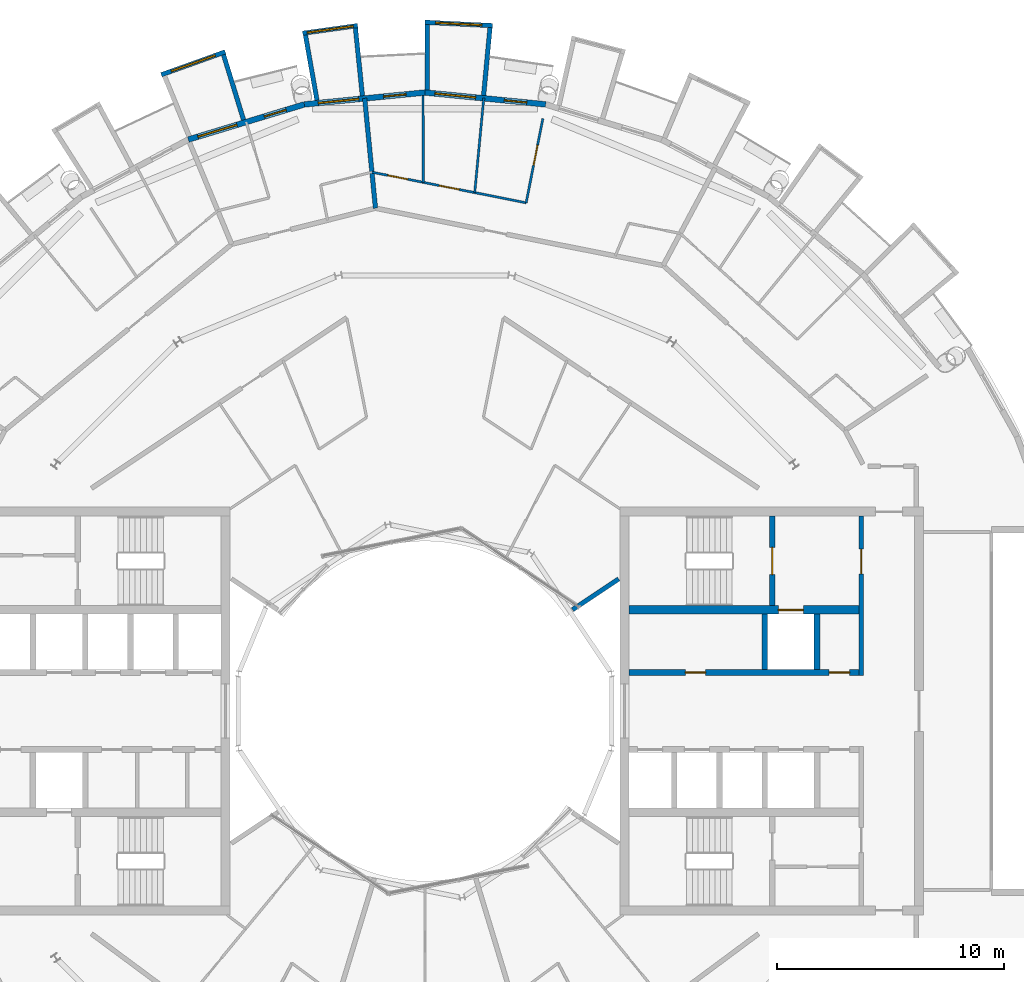
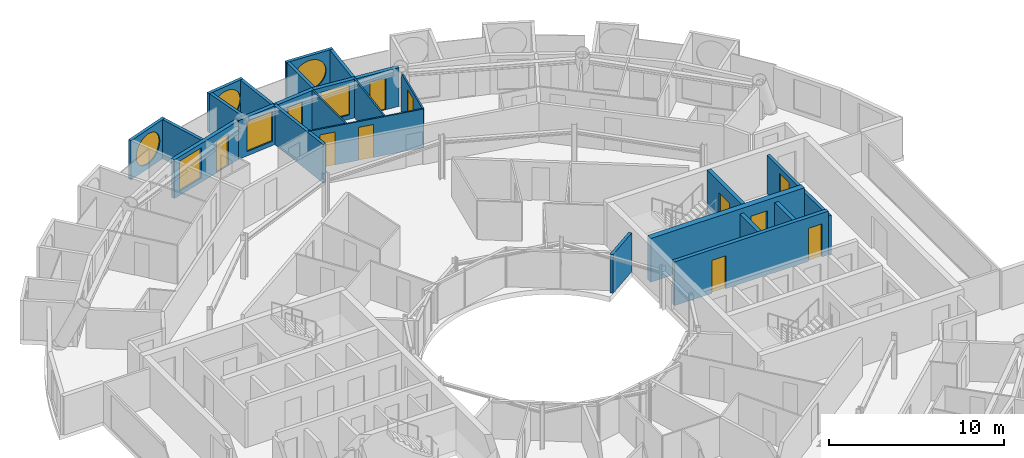
# One storey, part 22 of 28: 23 walls, 11 doors, 6 windows, 17 openings.
"""IFC4 building model written with IfcOpenShell, lengths in metres."""

from ifc_helpers import new_model, si_unit, direction, frame, frame_2d, origin, place, context, subcontext, project, spatial, rectangle, circle, extrude, material, layer, layer_set, type_object, element, fill, save


model = new_model("IFC4")

# Units and contexts
model_context = context("Model", 3, precision=1e-05, world=origin(), true_north=direction((0.0, 1.0)))
body_context = subcontext(model_context, "Body", "Model", "MODEL_VIEW")
ifc_project = project(units=[si_unit("LENGTHUNIT", "METRE"), si_unit("AREAUNIT", "SQUARE_METRE"), si_unit("VOLUMEUNIT", "CUBIC_METRE"), si_unit("PLANEANGLEUNIT", "RADIAN"), si_unit("MASSUNIT", "GRAM", prefix="KILO")], contexts=[model_context])

# Site, building, storey
site_placement = place(None, origin())
site = spatial("IfcSite", under=ifc_project, at=site_placement, CompositionType="ELEMENT")
building_placement = place(site_placement, origin())
building = spatial("IfcBuilding", under=site, at=building_placement, Name="Maasbend Ring Residences", CompositionType="ELEMENT")
storey_placement = place(building_placement, frame((0.0, 0.0, 231.0)))
storey = spatial("IfcBuildingStorey", under=building, at=storey_placement, Name="L66", CompositionType="ELEMENT", Elevation=231.0)

# Wall, openings, doors
ifc_material_1 = material(Name="Concrete C50/60", Category="concrete")
ifc_layer_1 = layer(ifc_material_1, 0.25)
ifc_layer_set_1 = layer_set([ifc_layer_1], Name="Concrete C50/60")
wall_type_1 = type_object("IfcWallType", Name="CORE WALL 250 C50/60", PredefinedType="SHEAR", material=ifc_layer_set_1)
wall_1_placement = place(storey_placement, frame((9.0, 1.699951171875, 0.0), z_axis=(0.0, 0.0, 1.0), x_axis=(1.0, 0.0, 0.0)))
wall_1 = element("IfcWall", 1, at=wall_1_placement, inside=storey, type_object=wall_type_1, Name="L66 core E wall SPN", PredefinedType="SHEAR", context=body_context, shape_type="SweptSolid", body=[
    extrude(rectangle(XDim=10.14990234375, YDim=0.25, at=frame_2d((5.074951171875, 0.0))), origin(), (0.0, 0.0, 1.0), 3.050048828125),
])
opening_1_placement = place(wall_1_placement, frame((2.487548828125, 0.0, 0.0)))
opening_1 = element("IfcOpeningElement", 2, at=opening_1_placement, cuts=wall_1, Name="Opening D-E6606", PredefinedType="OPENING", context=body_context, shape_type="SweptSolid", body=[
    extrude(rectangle(XDim=0.89990234375, YDim=2.300048828125, at=frame_2d((0.449951171875, 1.14990234375))), frame((0.0, 0.135009765625, 0.0), z_axis=(0.0, -1.0, 0.0), x_axis=(1.0, 0.0, 0.0)), (0.0, 0.0, 1.0), 0.27001953125),
])
opening_2_placement = place(wall_1_placement, frame((8.83740234375, 0.0, 0.0)))
opening_2 = element("IfcOpeningElement", 3, at=opening_2_placement, cuts=wall_1, Name="Opening D-E6607", PredefinedType="OPENING", context=body_context, shape_type="SweptSolid", body=[
    extrude(rectangle(XDim=0.89990234375, YDim=2.300048828125, at=frame_2d((0.449951171875, 1.14990234375))), frame((0.0, 0.135009765625, 0.0), z_axis=(0.0, -1.0, 0.0), x_axis=(1.0, 0.0, 0.0)), (0.0, 0.0, 1.0), 0.27001953125),
])
ifc_material_2 = material(Name="Steel, powder coated", Category="steel")
door_type_1 = type_object("IfcDoorType", Name="ROOM DOOR 900 X 2300 FD30S", OperationType="NOTDEFINED", PredefinedType="DOOR", material=ifc_material_2)
door_1_placement = place(opening_1_placement, origin())
door_1 = element("IfcDoor", 4, at=door_1_placement, inside=storey, type_object=door_type_1, Name="Room door L66", OperationType="SINGLE_SWING_RIGHT", OverallHeight=2.300048828125, OverallWidth=0.89990234375, PredefinedType="DOOR", context=body_context, shape_type="SweptSolid", body=[
    extrude(rectangle(XDim=0.89990234375, YDim=2.300048828125, at=frame_2d((0.449951171875, 1.14990234375))), frame((0.0, 0.02490234375, 0.0), z_axis=(0.0, -1.0, 0.0), x_axis=(1.0, 0.0, 0.0)), (0.0, 0.0, 1.0), 0.050048828125),
])
fill(opening_1, door_1)
door_2_placement = place(opening_2_placement, origin())
door_2 = element("IfcDoor", 5, at=door_2_placement, inside=storey, type_object=door_type_1, Name="Room door L66", OperationType="SINGLE_SWING_LEFT", OverallHeight=2.300048828125, OverallWidth=0.89990234375, PredefinedType="DOOR", context=body_context, shape_type="SweptSolid", body=[
    extrude(rectangle(XDim=0.89990234375, YDim=2.300048828125, at=frame_2d((0.449951171875, 1.14990234375))), frame((0.0, 0.02490234375, 0.0), z_axis=(0.0, -1.0, 0.0), x_axis=(1.0, 0.0, 0.0)), (0.0, 0.0, 1.0), 0.050048828125),
])
fill(opening_2, door_2)

# Wall, opening, door
wall_2_placement = place(storey_placement, frame((15.324951171875, 4.64990234375, 0.0), z_axis=(0.0, 0.0, 1.0), x_axis=(0.0, 1.0, 0.0)))
wall_2 = element("IfcWall", 6, at=wall_2_placement, inside=storey, type_object=wall_type_1, Name="L66 core E wall STEN", PredefinedType="SHEAR", context=body_context, shape_type="SweptSolid", body=[
    extrude(rectangle(XDim=3.9501953125, YDim=0.25, at=frame_2d((1.97509765625, 0.0))), origin(), (0.0, 0.0, 1.0), 3.050048828125),
])
opening_3_placement = place(wall_2_placement, frame((1.375, 0.0, 0.0)))
opening_3 = element("IfcOpeningElement", 7, at=opening_3_placement, cuts=wall_2, Name="Opening D-E6610", PredefinedType="OPENING", context=body_context, shape_type="SweptSolid", body=[
    extrude(rectangle(XDim=1.199951171875, YDim=2.300048828125, at=frame_2d((0.60009765625, 1.14990234375))), frame((0.0, 0.135009765625, 0.0), z_axis=(0.0, -1.0, 0.0), x_axis=(1.0, 0.0, 0.0)), (0.0, 0.0, 1.0), 0.27001953125),
])
ifc_material_3 = material(Name="Steel, powder coated", Category="steel")
door_type_2 = type_object("IfcDoorType", Name="STAIR DOOR 1200 X 2300 FD60", OperationType="NOTDEFINED", PredefinedType="DOOR", material=ifc_material_3)
door_3_placement = place(opening_3_placement, origin())
door_3 = element("IfcDoor", 8, at=door_3_placement, inside=storey, type_object=door_type_2, Name="Stair door ST-E L66", OperationType="SINGLE_SWING_LEFT", OverallHeight=2.300048828125, OverallWidth=1.199951171875, PredefinedType="DOOR", context=body_context, shape_type="SweptSolid", body=[
    extrude(rectangle(XDim=1.199951171875, YDim=2.300048828125, at=frame_2d((0.60009765625, 1.14990234375))), frame((0.0, 0.02490234375, 0.0), z_axis=(0.0, -1.0, 0.0), x_axis=(1.0, 0.0, 0.0)), (0.0, 0.0, 1.0), 0.050048828125),
])
fill(opening_3, door_3)

ifc_material_4 = material(Name="Concrete C50/60", Category="concrete")
ifc_layer_2 = layer(ifc_material_4, 0.375)
ifc_layer_set_2 = layer_set([ifc_layer_2], Name="Concrete C50/60")
wall_type_2 = type_object("IfcWallType", Name="CORE WALL 375 C50/60", PredefinedType="SHEAR", material=ifc_layer_set_2)
wall_3_placement = place(storey_placement, frame((9.0, 4.46240234375, 0.0), z_axis=(0.0, 0.0, 1.0), x_axis=(1.0, 0.0, 0.0)))
wall_3 = element("IfcWall", 9, at=wall_3_placement, inside=storey, type_object=wall_type_2, Name="L66 core E wall BN", PredefinedType="SHEAR", context=body_context, shape_type="SweptSolid", body=[
    extrude(rectangle(XDim=10.14990234375, YDim=0.375, at=frame_2d((5.074951171875, 0.0))), origin(), (0.0, 0.0, 1.0), 3.050048828125),
])
opening_4_placement = place(wall_3_placement, frame((6.60009765625, 0.0, 0.0)))
opening_4 = element("IfcOpeningElement", 10, at=opening_4_placement, cuts=wall_3, Name="Opening LD-E6601", PredefinedType="OPENING", context=body_context, shape_type="SweptSolid", body=[
    extrude(rectangle(XDim=1.10009765625, YDim=2.300048828125, at=frame_2d((0.550048828125, 1.14990234375))), frame((0.0, 0.197509765625, 0.0), z_axis=(0.0, -1.0, 0.0), x_axis=(1.0, 0.0, 0.0)), (0.0, 0.0, 1.0), 0.39501953125),
])
ifc_material_5 = material(Name="Stainless steel 316", Category="steel")
door_type_3 = type_object("IfcDoorType", Name="LANDING DOOR 1100 X 2300 FD60", OperationType="DOUBLE_DOOR_SLIDING", PredefinedType="DOOR", material=ifc_material_5)
door_4_placement = place(opening_4_placement, origin())
door_4 = element("IfcDoor", 11, at=door_4_placement, inside=storey, type_object=door_type_3, Name="Landing door FF-E L66", OperationType="DOUBLE_DOOR_SLIDING", OverallHeight=2.300048828125, OverallWidth=1.10009765625, PredefinedType="DOOR", context=body_context, shape_type="SweptSolid", body=[
    extrude(rectangle(XDim=1.10009765625, YDim=2.300048828125, at=frame_2d((0.550048828125, 1.14990234375))), frame((0.0, 0.02490234375, 0.0), z_axis=(0.0, -1.0, 0.0), x_axis=(1.0, 0.0, 0.0)), (0.0, 0.0, 1.0), 0.050048828125),
])
fill(opening_4, door_4)

# Wall, opening, window
ifc_material_6 = material(Name="Pale anodised aluminium panel", Category="aluminium")
ifc_layer_3 = layer(ifc_material_6, 0.199951171875)
ifc_layer_set_3 = layer_set([ifc_layer_3], Name="EW-BOX")
wall_type_3 = type_object("IfcWallType", Name="EW-BOX", PredefinedType="SOLIDWALL", material=ifc_layer_set_3)
wall_4_placement = place(storey_placement, frame((2.985107421875, 30.2529296875, -0.030029296875), z_axis=(0.0, 0.0, 1.0), x_axis=(-0.998794083011, 0.049095618353, 0.0)))
wall_4 = element("IfcWall", 12, at=wall_4_placement, inside=storey, type_object=wall_type_3, Name="Box front N10", PredefinedType="SOLIDWALL", context=body_context, shape_type="SweptSolid", body=[
    extrude(rectangle(XDim=2.99365234375, YDim=0.199951171875, at=frame_2d((1.496826171875, 0.0))), origin(), (0.0, 0.0, 1.0), 2.72998046875),
])
opening_5_placement = place(wall_4_placement, frame((0.45654296875, 0.0, 0.330078125)))
opening_5 = element("IfcOpeningElement", 13, at=opening_5_placement, cuts=wall_4, Name="Opening W-RD", PredefinedType="OPENING", context=body_context, shape_type="SweptSolid", body=[
    extrude(circle(Radius=1.0400390625, at=frame_2d((1.0400390625, 1.0400390625))), frame((0.0, 0.10986328125, 0.0), z_axis=(0.0, -1.0, 0.0), x_axis=(1.0, 0.0, 0.0)), (0.0, 0.0, 1.0), 0.219970703125),
])
ifc_material_7 = material(Name="Aluminium and clear glass", Category="aluminium")
window_type_1 = type_object("IfcWindowType", Name="W-RD", PartitioningType="SINGLE_PANEL", PredefinedType="WINDOW", material=ifc_material_7)
window_1_placement = place(opening_5_placement, origin())
window_1 = element("IfcWindow", 14, at=window_1_placement, inside=storey, type_object=window_type_1, Name="Round window N10", OverallHeight=2.080078125, OverallWidth=2.080078125, PartitioningType="SINGLE_PANEL", PredefinedType="WINDOW", context=body_context, shape_type="SweptSolid", body=[
    extrude(circle(Radius=1.0400390625, at=frame_2d((1.0400390625, 1.0400390625))), frame((0.0, 0.030029296875, 0.0), z_axis=(0.0, -1.0, 0.0), x_axis=(1.0, 0.0, 0.0)), (0.0, 0.0, 1.0), 0.06005859375),
])
fill(opening_5, window_1)

# Walls
wall_5_placement = place(storey_placement, frame((2.5859375, 27.1708984375, -0.030029296875), z_axis=(0.0, 0.0, 1.0), x_axis=(0.094548432284, 0.995520262954, 0.0)))
element("IfcWall", 15, at=wall_5_placement, inside=storey, type_object=wall_type_3, Name="Box side wall N10 left", PredefinedType="SOLIDWALL", context=body_context, shape_type="SweptSolid", body=[
    extrude(rectangle(XDim=3.005615234375, YDim=0.199951171875, at=frame_2d((1.5029296875, 0.0))), origin(), (0.0, 0.0, 1.0), 2.72998046875),
])
wall_6_placement = place(storey_placement, frame((0.090087890625, 27.4169921875, -0.030029296875), z_axis=(0.0, 0.0, 1.0), x_axis=(0.00347308367, 0.999993968827, 0.0)))
element("IfcWall", 16, at=wall_6_placement, inside=storey, type_object=wall_type_3, Name="Box side wall N10 right", PredefinedType="SOLIDWALL", context=body_context, shape_type="SweptSolid", body=[
    extrude(rectangle(XDim=2.882080078125, YDim=0.199951171875, at=frame_2d((1.44091796875, 0.0))), origin(), (0.0, 0.0, 1.0), 2.72998046875),
])

# Wall, opening, window
wall_7_placement = place(storey_placement, frame((-2.97607421875, 30.25390625, -0.030029296875), z_axis=(0.0, 0.0, 1.0), x_axis=(-0.990462016113, -0.137786046596, 0.0)))
wall_7 = element("IfcWall", 17, at=wall_7_placement, inside=storey, type_object=wall_type_3, Name="Box front N12", PredefinedType="SOLIDWALL", context=body_context, shape_type="SweptSolid", body=[
    extrude(rectangle(XDim=2.4453125, YDim=0.199951171875, at=frame_2d((1.22265625, 0.0))), origin(), (0.0, 0.0, 1.0), 2.72998046875),
])
opening_6_placement = place(wall_7_placement, frame((0.182861328125, 0.0, 0.330078125)))
opening_6 = element("IfcOpeningElement", 18, at=opening_6_placement, cuts=wall_7, Name="Opening W-RD", PredefinedType="OPENING", context=body_context, shape_type="SweptSolid", body=[
    extrude(circle(Radius=1.0400390625, at=frame_2d((1.0400390625, 1.0400390625))), frame((0.0, 0.10986328125, 0.0), z_axis=(0.0, -1.0, 0.0), x_axis=(1.0, 0.0, 0.0)), (0.0, 0.0, 1.0), 0.219970703125),
])
window_2_placement = place(opening_6_placement, origin())
window_2 = element("IfcWindow", 19, at=window_2_placement, inside=storey, type_object=window_type_1, Name="Round window N12", OverallHeight=2.080078125, OverallWidth=2.080078125, PartitioningType="SINGLE_PANEL", PredefinedType="WINDOW", context=body_context, shape_type="SweptSolid", body=[
    extrude(circle(Radius=1.0400390625, at=frame_2d((1.0400390625, 1.0400390625))), frame((0.0, 0.030029296875, 0.0), z_axis=(0.0, -1.0, 0.0), x_axis=(1.0, 0.0, 0.0)), (0.0, 0.0, 1.0), 0.06005859375),
])
fill(opening_6, window_2)

# Walls
wall_8_placement = place(storey_placement, frame((-2.763916015625, 27.153076171875, -0.030029296875), z_axis=(0.0, 0.0, 1.0), x_axis=(-0.101505487237, 0.994834979311, 0.0)))
element("IfcWall", 20, at=wall_8_placement, inside=storey, type_object=wall_type_3, Name="Box side wall N12 left", PredefinedType="SOLIDWALL", context=body_context, shape_type="SweptSolid", body=[
    extrude(rectangle(XDim=3.006591796875, YDim=0.199951171875, at=frame_2d((1.50341796875, 0.0))), origin(), (0.0, 0.0, 1.0), 2.72998046875),
])
wall_9_placement = place(storey_placement, frame((-4.76904296875, 26.9560546875, -0.030029296875), z_axis=(0.0, 0.0, 1.0), x_axis=(-0.174056778901, 0.984735618183, 0.0)))
element("IfcWall", 21, at=wall_9_placement, inside=storey, type_object=wall_type_3, Name="Box side wall N12 right", PredefinedType="SOLIDWALL", context=body_context, shape_type="SweptSolid", body=[
    extrude(rectangle(XDim=2.924560546875, YDim=0.199951171875, at=frame_2d((1.46240234375, 0.0))), origin(), (0.0, 0.0, 1.0), 2.72998046875),
])

# Wall, opening, window
wall_10_placement = place(storey_placement, frame((-8.820068359375, 29.093017578125, -0.030029296875), z_axis=(0.0, 0.0, 1.0), x_axis=(-0.941461077774, -0.337121697664, 0.0)))
wall_10 = element("IfcWall", 22, at=wall_10_placement, inside=storey, type_object=wall_type_3, Name="Box front N14", PredefinedType="SOLIDWALL", context=body_context, shape_type="SweptSolid", body=[
    extrude(rectangle(XDim=2.9931640625, YDim=0.199951171875, at=frame_2d((1.49658203125, 0.0))), origin(), (0.0, 0.0, 1.0), 2.72998046875),
])
opening_7_placement = place(wall_10_placement, frame((0.45654296875, 0.0, 0.330078125)))
opening_7 = element("IfcOpeningElement", 23, at=opening_7_placement, cuts=wall_10, Name="Opening W-RD", PredefinedType="OPENING", context=body_context, shape_type="SweptSolid", body=[
    extrude(circle(Radius=1.0400390625, at=frame_2d((1.0400390625, 1.0400390625))), frame((0.0, 0.10986328125, 0.0), z_axis=(0.0, -1.0, 0.0), x_axis=(1.0, 0.0, 0.0)), (0.0, 0.0, 1.0), 0.219970703125),
])
window_3_placement = place(opening_7_placement, origin())
window_3 = element("IfcWindow", 24, at=window_3_placement, inside=storey, type_object=window_type_1, Name="Round window N14", OverallHeight=2.080078125, OverallWidth=2.080078125, PartitioningType="SINGLE_PANEL", PredefinedType="WINDOW", context=body_context, shape_type="SweptSolid", body=[
    extrude(circle(Radius=1.0400390625, at=frame_2d((1.0400390625, 1.0400390625))), frame((0.0, 0.030029296875, 0.0), z_axis=(0.0, -1.0, 0.0), x_axis=(1.0, 0.0, 0.0)), (0.0, 0.0, 1.0), 0.06005859375),
])
fill(opening_7, window_3)

# Wall
wall_11_placement = place(storey_placement, frame((-8.009033203125, 26.092041015625, -0.030029296875), z_axis=(0.0, 0.0, 1.0), x_axis=(-0.293406695073, 0.955987715029, 0.0)))
element("IfcWall", 25, at=wall_11_placement, inside=storey, type_object=wall_type_3, Name="Box side wall N14 left", PredefinedType="SOLIDWALL", context=body_context, shape_type="SweptSolid", body=[
    extrude(rectangle(XDim=3.00634765625, YDim=0.199951171875, at=frame_2d((1.503173828125, 0.0))), origin(), (0.0, 0.0, 1.0), 2.72998046875),
])

# Wall, openings, door, window
ifc_material_8 = material(Name="Aluminium clad insulated panel", Category="aluminium")
ifc_layer_4 = layer(ifc_material_8, 0.25)
ifc_layer_set_4 = layer_set([ifc_layer_4], Name="EW-GL")
wall_type_4 = type_object("IfcWallType", Name="EW-GL", PredefinedType="SOLIDWALL", material=ifc_layer_set_4)
wall_12_placement = place(storey_placement, frame((5.325927734375, 26.77490234375, 0.0), z_axis=(0.0, 0.0, 1.0), x_axis=(-0.995173996315, 0.098126026407, 0.0)))
wall_12 = element("IfcWall", 26, at=wall_12_placement, inside=storey, type_object=wall_type_4, Name="External wall N05", PredefinedType="SOLIDWALL", context=body_context, shape_type="SweptSolid", body=[
    extrude(rectangle(XDim=5.351806640625, YDim=0.25, at=frame_2d((2.67578125, 0.0))), origin(), (0.0, 0.0, 1.0), 2.699951171875),
])
opening_8_placement = place(wall_12_placement, frame((0.841064453125, 0.0, 0.0)))
opening_8 = element("IfcOpeningElement", 27, at=opening_8_placement, cuts=wall_12, Name="Opening D-LG", PredefinedType="OPENING", context=body_context, shape_type="SweptSolid", body=[
    extrude(rectangle(XDim=1.0, YDim=2.199951171875, at=frame_2d((0.5, 1.10009765625))), frame((0.0, 0.135009765625, 0.0), z_axis=(0.0, -1.0, 0.0), x_axis=(1.0, 0.0, 0.0)), (0.0, 0.0, 1.0), 0.27001953125),
])
opening_9_placement = place(wall_12_placement, frame((3.110595703125, 0.0, 0.300048828125)))
opening_9 = element("IfcOpeningElement", 28, at=opening_9_placement, cuts=wall_12, Name="Opening W-BX", PredefinedType="OPENING", context=body_context, shape_type="SweptSolid", body=[
    extrude(rectangle(XDim=1.800048828125, YDim=2.10009765625, at=frame_2d((0.89990234375, 1.050048828125))), frame((0.0, 0.135009765625, 0.0), z_axis=(0.0, -1.0, 0.0), x_axis=(1.0, 0.0, 0.0)), (0.0, 0.0, 1.0), 0.27001953125),
])
ifc_material_9 = material(Name="Aluminium and clear glass", Category="aluminium")
door_type_4 = type_object("IfcDoorType", Name="D-LG", OperationType="SINGLE_SWING_LEFT", PredefinedType="DOOR", material=ifc_material_9)
door_5_placement = place(opening_8_placement, origin())
door_5 = element("IfcDoor", 29, at=door_5_placement, inside=storey, type_object=door_type_4, Name="Loggia door N09", OperationType="SINGLE_SWING_LEFT", OverallHeight=2.199951171875, OverallWidth=1.0, PredefinedType="DOOR", context=body_context, shape_type="SweptSolid", body=[
    extrude(rectangle(XDim=1.0, YDim=2.199951171875, at=frame_2d((0.5, 1.10009765625))), frame((0.0, 0.02490234375, 0.0), z_axis=(0.0, -1.0, 0.0), x_axis=(1.0, 0.0, 0.0)), (0.0, 0.0, 1.0), 0.050048828125),
])
fill(opening_8, door_5)
ifc_material_10 = material(Name="Aluminium and clear glass", Category="aluminium")
window_type_2 = type_object("IfcWindowType", Name="W-BX", PartitioningType="DOUBLE_PANEL_VERTICAL", PredefinedType="WINDOW", material=ifc_material_10)
window_4_placement = place(opening_9_placement, origin())
window_4 = element("IfcWindow", 30, at=window_4_placement, inside=storey, type_object=window_type_2, Name="Window N10 room to box", OverallHeight=2.10009765625, OverallWidth=1.800048828125, PartitioningType="SINGLE_PANEL", PredefinedType="WINDOW", context=body_context, shape_type="SweptSolid", body=[
    extrude(rectangle(XDim=1.800048828125, YDim=2.10009765625, at=frame_2d((0.89990234375, 1.050048828125))), frame((0.0, 0.030029296875, 0.0), z_axis=(0.0, -1.0, 0.0), x_axis=(1.0, 0.0, 0.0)), (0.0, 0.0, 1.0), 0.06005859375),
])
fill(opening_9, window_4)

wall_13_placement = place(storey_placement, frame((0.0, 27.300048828125, 0.0), z_axis=(0.0, 0.0, 1.0), x_axis=(-0.995173996315, -0.098126026407, 0.0)))
wall_13 = element("IfcWall", 31, at=wall_13_placement, inside=storey, type_object=wall_type_4, Name="External wall N06", PredefinedType="SOLIDWALL", context=body_context, shape_type="SweptSolid", body=[
    extrude(rectangle(XDim=5.351806640625, YDim=0.25, at=frame_2d((2.67578125, 0.0))), origin(), (0.0, 0.0, 1.0), 2.699951171875),
])
opening_10_placement = place(wall_13_placement, frame((0.841064453125, 0.0, 0.0)))
opening_10 = element("IfcOpeningElement", 32, at=opening_10_placement, cuts=wall_13, Name="Opening D-LG", PredefinedType="OPENING", context=body_context, shape_type="SweptSolid", body=[
    extrude(rectangle(XDim=1.0, YDim=2.199951171875, at=frame_2d((0.5, 1.10009765625))), frame((0.0, 0.135009765625, 0.0), z_axis=(0.0, -1.0, 0.0), x_axis=(1.0, 0.0, 0.0)), (0.0, 0.0, 1.0), 0.27001953125),
])
opening_11_placement = place(wall_13_placement, frame((2.935791015625, 0.0, 0.300048828125)))
opening_11 = element("IfcOpeningElement", 33, at=opening_11_placement, cuts=wall_13, Name="Opening W-BX", PredefinedType="OPENING", context=body_context, shape_type="SweptSolid", body=[
    extrude(rectangle(XDim=1.800048828125, YDim=2.10009765625, at=frame_2d((0.89990234375, 1.050048828125))), frame((0.0, 0.135009765625, 0.0), z_axis=(0.0, -1.0, 0.0), x_axis=(1.0, 0.0, 0.0)), (0.0, 0.0, 1.0), 0.27001953125),
])
door_6_placement = place(opening_10_placement, origin())
door_6 = element("IfcDoor", 34, at=door_6_placement, inside=storey, type_object=door_type_4, Name="Loggia door N11", OperationType="SINGLE_SWING_LEFT", OverallHeight=2.199951171875, OverallWidth=1.0, PredefinedType="DOOR", context=body_context, shape_type="SweptSolid", body=[
    extrude(rectangle(XDim=1.0, YDim=2.199951171875, at=frame_2d((0.5, 1.10009765625))), frame((0.0, 0.02490234375, 0.0), z_axis=(0.0, -1.0, 0.0), x_axis=(1.0, 0.0, 0.0)), (0.0, 0.0, 1.0), 0.050048828125),
])
fill(opening_10, door_6)
window_5_placement = place(opening_11_placement, origin())
window_5 = element("IfcWindow", 35, at=window_5_placement, inside=storey, type_object=window_type_2, Name="Window N12 room to box", OverallHeight=2.10009765625, OverallWidth=1.800048828125, PartitioningType="SINGLE_PANEL", PredefinedType="WINDOW", context=body_context, shape_type="SweptSolid", body=[
    extrude(rectangle(XDim=1.800048828125, YDim=2.10009765625, at=frame_2d((0.89990234375, 1.050048828125))), frame((0.0, 0.030029296875, 0.0), z_axis=(0.0, -1.0, 0.0), x_axis=(1.0, 0.0, 0.0)), (0.0, 0.0, 1.0), 0.06005859375),
])
fill(opening_11, window_5)

wall_14_placement = place(storey_placement, frame((-5.325927734375, 26.77490234375, 0.0), z_axis=(0.0, 0.0, 1.0), x_axis=(-0.956965678721, -0.290201119486, 0.0)))
wall_14 = element("IfcWall", 36, at=wall_14_placement, inside=storey, type_object=wall_type_4, Name="External wall N07", PredefinedType="SOLIDWALL", context=body_context, shape_type="SweptSolid", body=[
    extrude(rectangle(XDim=5.351318359375, YDim=0.25, at=frame_2d((2.67578125, 0.0))), origin(), (0.0, 0.0, 1.0), 2.699951171875),
])
opening_12_placement = place(wall_14_placement, frame((0.841064453125, 0.0, 0.0)))
opening_12 = element("IfcOpeningElement", 37, at=opening_12_placement, cuts=wall_14, Name="Opening D-LG", PredefinedType="OPENING", context=body_context, shape_type="SweptSolid", body=[
    extrude(rectangle(XDim=1.0, YDim=2.199951171875, at=frame_2d((0.5, 1.10009765625))), frame((0.0, 0.135009765625, 0.0), z_axis=(0.0, -1.0, 0.0), x_axis=(1.0, 0.0, 0.0)), (0.0, 0.0, 1.0), 0.27001953125),
])
opening_13_placement = place(wall_14_placement, frame((3.110595703125, 0.0, 0.300048828125)))
opening_13 = element("IfcOpeningElement", 38, at=opening_13_placement, cuts=wall_14, Name="Opening W-BX", PredefinedType="OPENING", context=body_context, shape_type="SweptSolid", body=[
    extrude(rectangle(XDim=1.800048828125, YDim=2.10009765625, at=frame_2d((0.89990234375, 1.050048828125))), frame((0.0, 0.135009765625, 0.0), z_axis=(0.0, -1.0, 0.0), x_axis=(1.0, 0.0, 0.0)), (0.0, 0.0, 1.0), 0.27001953125),
])
door_7_placement = place(opening_12_placement, origin())
door_7 = element("IfcDoor", 39, at=door_7_placement, inside=storey, type_object=door_type_4, Name="Loggia door N13", OperationType="SINGLE_SWING_LEFT", OverallHeight=2.199951171875, OverallWidth=1.0, PredefinedType="DOOR", context=body_context, shape_type="SweptSolid", body=[
    extrude(rectangle(XDim=1.0, YDim=2.199951171875, at=frame_2d((0.5, 1.10009765625))), frame((0.0, 0.02490234375, 0.0), z_axis=(0.0, -1.0, 0.0), x_axis=(1.0, 0.0, 0.0)), (0.0, 0.0, 1.0), 0.050048828125),
])
fill(opening_12, door_7)
window_6_placement = place(opening_13_placement, origin())
window_6 = element("IfcWindow", 40, at=window_6_placement, inside=storey, type_object=window_type_2, Name="Window N14 room to box", OverallHeight=2.10009765625, OverallWidth=1.800048828125, PartitioningType="SINGLE_PANEL", PredefinedType="WINDOW", context=body_context, shape_type="SweptSolid", body=[
    extrude(rectangle(XDim=1.800048828125, YDim=2.10009765625, at=frame_2d((0.89990234375, 1.050048828125))), frame((0.0, 0.030029296875, 0.0), z_axis=(0.0, -1.0, 0.0), x_axis=(1.0, 0.0, 0.0)), (0.0, 0.0, 1.0), 0.06005859375),
])
fill(opening_13, window_6)

# Walls
ifc_material_11 = material(Name="Gypsum board on steel studs", Category="steel")
ifc_layer_5 = layer(ifc_material_11, 0.10009765625)
ifc_layer_set_5 = layer_set([ifc_layer_5], Name="PARTITION 100 GYPSUM")
wall_type_5 = type_object("IfcWallType", Name="PARTITION 100 GYPSUM", PredefinedType="PARTITIONING", material=ifc_layer_set_5)
wall_15_placement = place(storey_placement, frame((-0.073974609375, 23.333984375, 0.0), z_axis=(0.0, 0.0, 1.0), x_axis=(-0.003368696325, 0.999994325926, 0.0)))
element("IfcWall", 41, at=wall_15_placement, inside=storey, type_object=wall_type_5, Name="U-L66-w054", PredefinedType="PARTITIONING", context=body_context, shape_type="SweptSolid", body=[
    extrude(rectangle(XDim=3.841064453125, YDim=0.10009765625, at=frame_2d((1.92041015625, 0.0))), origin(), (0.0, 0.0, 1.0), 2.699951171875),
])
wall_16_placement = place(storey_placement, frame((2.194091796875, 22.883056640625, 0.0), z_axis=(0.0, 0.0, 1.0), x_axis=(0.095276864271, 0.995450812012, 0.0)))
element("IfcWall", 42, at=wall_16_placement, inside=storey, type_object=wall_type_5, Name="U-L66-w057", PredefinedType="PARTITIONING", context=body_context, shape_type="SweptSolid", body=[
    extrude(rectangle(XDim=4.18701171875, YDim=0.10009765625, at=frame_2d((2.093505859375, 0.0))), origin(), (0.0, 0.0, 1.0), 2.699951171875),
])

# Wall, opening, door
wall_17_placement = place(storey_placement, frame((4.4619140625, 22.430908203125, 0.0), z_axis=(0.0, 0.0, 1.0), x_axis=(0.19505033302, 0.980793233862, 0.0)))
wall_17 = element("IfcWall", 43, at=wall_17_placement, inside=storey, type_object=wall_type_5, Name="U-L66-w061", PredefinedType="PARTITIONING", context=body_context, shape_type="SweptSolid", body=[
    extrude(rectangle(XDim=3.788818359375, YDim=0.10009765625, at=frame_2d((1.89453125, 0.0))), origin(), (0.0, 0.0, 1.0), 2.699951171875),
])
opening_14_placement = place(wall_17_placement, frame((1.701904296875, 0.0, 0.0)))
opening_14 = element("IfcOpeningElement", 44, at=opening_14_placement, cuts=wall_17, Name="Opening D-6608", PredefinedType="OPENING", context=body_context, shape_type="SweptSolid", body=[
    extrude(rectangle(XDim=0.89990234375, YDim=2.300048828125, at=frame_2d((0.449951171875, 1.14990234375))), frame((0.0, 0.06005859375, 0.0), z_axis=(0.0, -1.0, 0.0), x_axis=(1.0, 0.0, 0.0)), (0.0, 0.0, 1.0), 0.1201171875),
])
ifc_material_12 = material(Name="Timber, painted", Category="wood")
door_type_5 = type_object("IfcDoorType", Name="INTERNAL DOOR 900 X 2300", OperationType="NOTDEFINED", PredefinedType="DOOR", material=ifc_material_12)
door_8_placement = place(opening_14_placement, origin())
door_8 = element("IfcDoor", 45, at=door_8_placement, inside=storey, type_object=door_type_5, Name="D-6608", OperationType="SINGLE_SWING_RIGHT", OverallHeight=2.300048828125, OverallWidth=0.89990234375, PredefinedType="DOOR", context=body_context, shape_type="SweptSolid", body=[
    extrude(rectangle(XDim=0.89990234375, YDim=2.300048828125, at=frame_2d((0.449951171875, 1.14990234375))), frame((0.0, 0.02490234375, 0.0), z_axis=(0.0, -1.0, 0.0), x_axis=(1.0, 0.0, 0.0)), (0.0, 0.0, 1.0), 0.050048828125),
])
fill(opening_14, door_8)

# Wall, openings, doors
wall_18_placement = place(storey_placement, frame((-2.345947265625, 23.784912109375, 0.0), z_axis=(0.0, 0.0, 1.0), x_axis=(0.98080065826, -0.195012996379, 0.0)))
wall_18 = element("IfcWall", 46, at=wall_18_placement, inside=storey, type_object=wall_type_5, Name="U-L66-w103", PredefinedType="PARTITIONING", context=body_context, shape_type="SweptSolid", body=[
    extrude(rectangle(XDim=6.938232421875, YDim=0.10009765625, at=frame_2d((3.46923828125, 0.0))), origin(), (0.0, 0.0, 1.0), 2.699951171875),
])
opening_15_placement = place(wall_18_placement, frame((3.02392578125, 0.0, 0.0)))
opening_15 = element("IfcOpeningElement", 47, at=opening_15_placement, cuts=wall_18, Name="Opening D-6609", PredefinedType="OPENING", context=body_context, shape_type="SweptSolid", body=[
    extrude(rectangle(XDim=0.89990234375, YDim=2.300048828125, at=frame_2d((0.449951171875, 1.14990234375))), frame((0.0, 0.06005859375, 0.0), z_axis=(0.0, -1.0, 0.0), x_axis=(1.0, 0.0, 0.0)), (0.0, 0.0, 1.0), 0.1201171875),
])
opening_16_placement = place(wall_18_placement, frame((0.7099609375, 0.0, 0.0)))
opening_16 = element("IfcOpeningElement", 48, at=opening_16_placement, cuts=wall_18, Name="Opening D-6610", PredefinedType="OPENING", context=body_context, shape_type="SweptSolid", body=[
    extrude(rectangle(XDim=0.89990234375, YDim=2.300048828125, at=frame_2d((0.449951171875, 1.14990234375))), frame((0.0, 0.06005859375, 0.0), z_axis=(0.0, -1.0, 0.0), x_axis=(1.0, 0.0, 0.0)), (0.0, 0.0, 1.0), 0.1201171875),
])
door_9_placement = place(opening_15_placement, origin())
door_9 = element("IfcDoor", 49, at=door_9_placement, inside=storey, type_object=door_type_5, Name="D-6609", OperationType="SINGLE_SWING_RIGHT", OverallHeight=2.300048828125, OverallWidth=0.89990234375, PredefinedType="DOOR", context=body_context, shape_type="SweptSolid", body=[
    extrude(rectangle(XDim=0.89990234375, YDim=2.300048828125, at=frame_2d((0.449951171875, 1.14990234375))), frame((0.0, 0.02490234375, 0.0), z_axis=(0.0, -1.0, 0.0), x_axis=(1.0, 0.0, 0.0)), (0.0, 0.0, 1.0), 0.050048828125),
])
fill(opening_15, door_9)
door_10_placement = place(opening_16_placement, origin())
door_10 = element("IfcDoor", 50, at=door_10_placement, inside=storey, type_object=door_type_5, Name="D-6610", OperationType="SINGLE_SWING_LEFT", OverallHeight=2.300048828125, OverallWidth=0.89990234375, PredefinedType="DOOR", context=body_context, shape_type="SweptSolid", body=[
    extrude(rectangle(XDim=0.89990234375, YDim=2.300048828125, at=frame_2d((0.449951171875, 1.14990234375))), frame((0.0, 0.02490234375, 0.0), z_axis=(0.0, -1.0, 0.0), x_axis=(1.0, 0.0, 0.0)), (0.0, 0.0, 1.0), 0.050048828125),
])
fill(opening_16, door_10)

# Walls
ifc_material_13 = material(Name="Concrete C30/37", Category="concrete")
ifc_layer_6 = layer(ifc_material_13, 0.199951171875)
ifc_layer_set_6 = layer_set([ifc_layer_6], Name="Concrete C30/37")
wall_type_6 = type_object("IfcWallType", Name="PARTY WALL 200 CONCRETE", PredefinedType="PARTITIONING", material=ifc_layer_set_6)
wall_19_placement = place(storey_placement, frame((-2.6640625, 27.0439453125, 0.0), z_axis=(0.0, 0.0, 1.0), x_axis=(0.098070432075, -0.995179476453, 0.0)))
element("IfcWall", 51, at=wall_19_placement, inside=storey, type_object=wall_type_6, Name="U-L66-w051", PredefinedType="PARTITIONING", context=body_context, shape_type="SweptSolid", body=[
    extrude(rectangle(XDim=4.874267578125, YDim=0.199951171875, at=frame_2d((2.43701171875, 0.0))), origin(), (0.0, 0.0, 1.0), 2.699951171875),
])
wall_20_placement = place(storey_placement, frame((6.512939453125, 4.471923828125, 0.0), z_axis=(0.0, 0.0, 1.0), x_axis=(0.831450132577, 0.555599385382, 0.0)))
element("IfcWall", 52, at=wall_20_placement, inside=storey, type_object=wall_type_6, Name="U-L66-w084", PredefinedType="PARTITIONING", context=body_context, shape_type="SweptSolid", body=[
    extrude(rectangle(XDim=2.442626953125, YDim=0.199951171875, at=frame_2d((1.22119140625, 0.0))), origin(), (0.0, 0.0, 1.0), 2.699951171875),
])

# Wall, opening, door
ifc_material_14 = material(Name="Concrete C30/37", Category="concrete")
ifc_layer_7 = layer(ifc_material_14, 0.199951171875)
ifc_layer_set_7 = layer_set([ifc_layer_7], Name="Concrete C30/37")
wall_type_7 = type_object("IfcWallType", Name="SHAFT WALL 200 EI 120", PredefinedType="SOLIDWALL", material=ifc_layer_set_7)
wall_21_placement = place(storey_placement, frame((19.25, 1.574951171875, 0.0), z_axis=(0.0, 0.0, 1.0), x_axis=(0.0, 1.0, 0.0)))
wall_21 = element("IfcWall", 53, at=wall_21_placement, inside=storey, type_object=wall_type_7, Name="L66 core E wall ENDN", PredefinedType="SOLIDWALL", context=body_context, shape_type="SweptSolid", body=[
    extrude(rectangle(XDim=7.025146484375, YDim=0.199951171875, at=frame_2d((3.5126953125, 0.0))), origin(), (0.0, 0.0, 1.0), 2.699951171875),
])
opening_17_placement = place(wall_21_placement, frame((4.47509765625, 0.0, 0.0)))
opening_17 = element("IfcOpeningElement", 54, at=opening_17_placement, cuts=wall_21, Name="Opening D-E6612", PredefinedType="OPENING", context=body_context, shape_type="SweptSolid", body=[
    extrude(rectangle(XDim=1.10009765625, YDim=2.300048828125, at=frame_2d((0.550048828125, 1.14990234375))), frame((0.0, 0.10986328125, 0.0), z_axis=(0.0, -1.0, 0.0), x_axis=(1.0, 0.0, 0.0)), (0.0, 0.0, 1.0), 0.219970703125),
])
ifc_material_15 = material(Name="Steel, powder coated", Category="steel")
door_type_6 = type_object("IfcDoorType", Name="LOBBY DOOR 1100 X 2300 FD60", OperationType="NOTDEFINED", PredefinedType="DOOR", material=ifc_material_15)
door_11_placement = place(opening_17_placement, origin())
door_11 = element("IfcDoor", 55, at=door_11_placement, inside=storey, type_object=door_type_6, Name="Lobby door L66", OperationType="SINGLE_SWING_LEFT", OverallHeight=2.300048828125, OverallWidth=1.10009765625, PredefinedType="DOOR", context=body_context, shape_type="SweptSolid", body=[
    extrude(rectangle(XDim=1.10009765625, YDim=2.300048828125, at=frame_2d((0.550048828125, 1.14990234375))), frame((0.0, 0.02490234375, 0.0), z_axis=(0.0, -1.0, 0.0), x_axis=(1.0, 0.0, 0.0)), (0.0, 0.0, 1.0), 0.050048828125),
])
fill(opening_17, door_11)

# Walls
ifc_material_16 = material(Name="Concrete C30/37", Category="concrete")
ifc_layer_8 = layer(ifc_material_16, 0.25)
ifc_layer_set_8 = layer_set([ifc_layer_8], Name="Concrete C30/37")
wall_type_8 = type_object("IfcWallType", Name="SHAFT WALL 250 EI 120", PredefinedType="SOLIDWALL", material=ifc_layer_set_8)
for number, where, z_axis, x_axis, name in (
    (56, (15.0, 1.824951171875, 0.0), (0.0, 0.0, 1.0), (0.0, 1.0, 0.0), "L66 core E wall D150N"),
    (57, (17.300048828125, 1.824951171875, 0.0), (0.0, 0.0, 1.0), (0.0, 1.0, 0.0), "L66 core E wall D173N"),
):
    element("IfcWall", number, at=place(storey_placement, frame(where, z_axis=z_axis, x_axis=x_axis)), inside=storey, type_object=wall_type_8, Name=name, PredefinedType="SOLIDWALL", context=body_context, shape_type="SweptSolid", body=[
        extrude(rectangle(XDim=2.449951171875, YDim=0.25, at=frame_2d((1.22509765625, 0.0))), origin(), (0.0, 0.0, 1.0), 2.699951171875),
    ])

save(model, "model.ifc")
